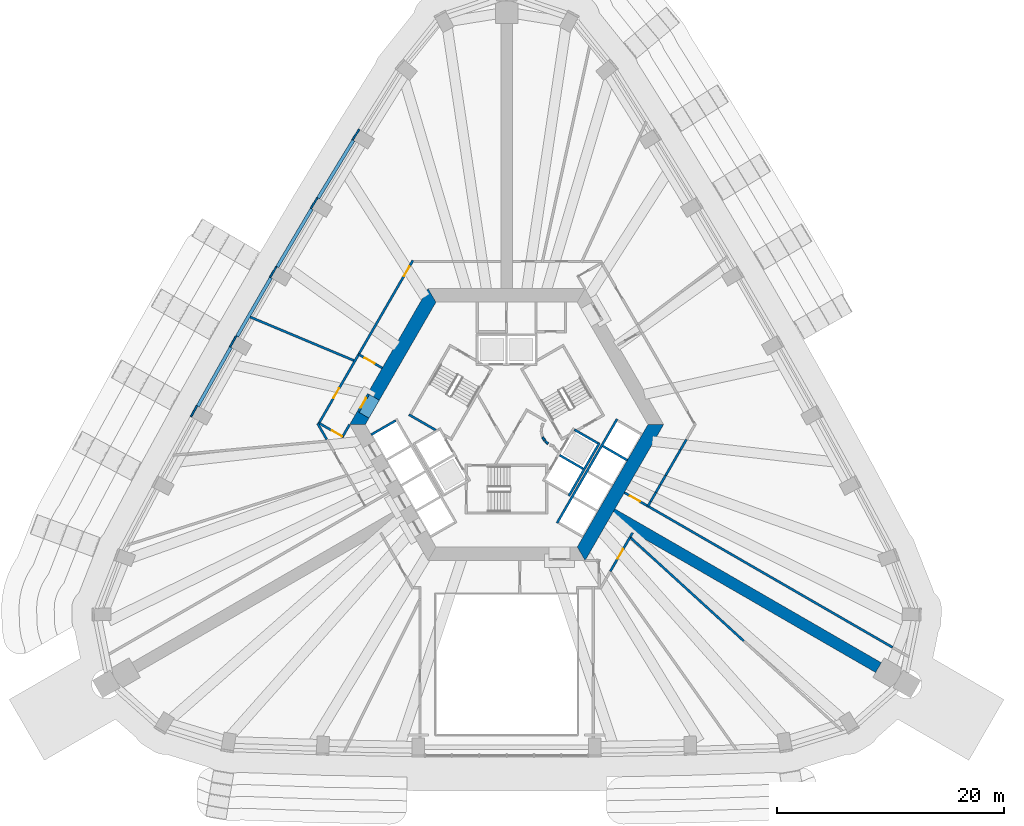
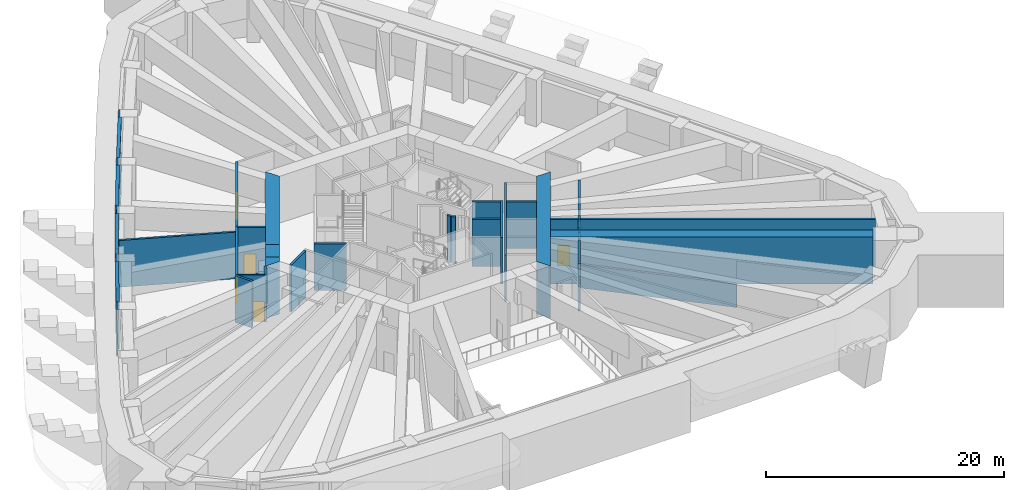
# One storey, part 7 of 20: 46 walls, 7 doors, 7 openings.
"""IFC4 building model written with IfcOpenShell, lengths in metres."""

from ifc_helpers import new_model, si_unit, direction, frame, frame_2d, origin, place, context, subcontext, project, spatial, polyline, rectangle, outline, extrude, material, layer, layer_set, type_object, element, fill, save


model = new_model("IFC4")

# Units and contexts
model_context = context("Model", 3, precision=1e-05, world=origin(), true_north=direction((0.0, 1.0)))
body_context = subcontext(model_context, "Body", "Model", "MODEL_VIEW")
ifc_project = project(units=[si_unit("LENGTHUNIT", "METRE"), si_unit("AREAUNIT", "SQUARE_METRE"), si_unit("VOLUMEUNIT", "CUBIC_METRE"), si_unit("PLANEANGLEUNIT", "RADIAN"), si_unit("MASSUNIT", "GRAM", prefix="KILO")], contexts=[model_context])

# Site, building, storey
site_placement = place(None, origin())
site = spatial("IfcSite", under=ifc_project, at=site_placement, CompositionType="ELEMENT")
building_placement = place(site_placement, origin())
building = spatial("IfcBuilding", under=site, at=building_placement, Name="Entoto Arch Interchange Tower", CompositionType="ELEMENT")
storey_placement = place(building_placement, frame((0.0, 0.0, 184.39990234375)))
storey = spatial("IfcBuildingStorey", under=building, at=storey_placement, Name="L41", CompositionType="ELEMENT", Elevation=184.39990234375)

# Wall, opening, door
ifc_material_1 = material(Name="Reinforced concrete C40/50", Category="concrete")
ifc_layer_1 = layer(ifc_material_1, 0.199951171875)
ifc_layer_set_1 = layer_set([ifc_layer_1], Name="Reinforced concrete C40/50")
wall_type_1 = type_object("IfcWallType", Name="CORE GAP INFILL WALL", PredefinedType="PARTITIONING", material=ifc_layer_set_1)
wall_1_placement = place(storey_placement, frame((-12.180908203125, 5.201904296875, 0.0), z_axis=(0.0, 0.0, 1.0), x_axis=(-0.500215337403, -0.865901042976, 0.0)))
wall_1 = element("IfcWall", 1, at=wall_1_placement, inside=storey, type_object=wall_type_1, Name="wall:L41:gap3", PredefinedType="PARTITIONING", context=body_context, shape_type="SweptSolid", body=[
    extrude(rectangle(XDim=1.829345703125, YDim=0.199951171875, at=frame_2d((0.91455078125, 0.0))), origin(), (0.0, 0.0, 1.0), 2.400146484375),
])
opening_1_placement = place(wall_1_placement, frame((0.4150390625, 0.0, 0.0)))
opening_1 = element("IfcOpeningElement", 2, at=opening_1_placement, cuts=wall_1, Name="Opening L41-D93", PredefinedType="OPENING", context=body_context, shape_type="SweptSolid", body=[
    extrude(rectangle(XDim=1.0, YDim=2.10009765625, at=frame_2d((0.5, 1.050048828125))), frame((0.0, 0.10986328125, 0.0), z_axis=(0.0, -1.0, 0.0), x_axis=(1.0, 0.0, 0.0)), (0.0, 0.0, 1.0), 0.219970703125),
])
ifc_material_2 = material(Name="Fire-rated Steel S235 door and frame", Category="steel")
door_type_1 = type_object("IfcDoorType", Name="DOOR FD-10 1000x2100", OperationType="SINGLE_SWING_LEFT", PredefinedType="DOOR", material=ifc_material_2)
door_1_placement = place(opening_1_placement, origin())
door_1 = element("IfcDoor", 3, at=door_1_placement, inside=storey, type_object=door_type_1, Name="door:L41:gap3", OperationType="SINGLE_SWING_LEFT", OverallHeight=2.10009765625, OverallWidth=1.0, PredefinedType="DOOR", context=body_context, shape_type="SweptSolid", body=[
    extrude(rectangle(XDim=1.0, YDim=2.10009765625, at=frame_2d((0.5, 1.050048828125))), frame((0.0, 0.02490234375, 0.0), z_axis=(0.0, -1.0, 0.0), x_axis=(1.0, 0.0, 0.0)), (0.0, 0.0, 1.0), 0.050048828125),
])
fill(opening_1, door_1)

# Walls
ifc_material_3 = material(Name="Concrete C50/60", Category="concrete")
ifc_layer_2 = layer(ifc_material_3, 1.199951171875)
ifc_layer_set_2 = layer_set([ifc_layer_2], Name="Concrete C50/60")
wall_type_2 = type_object("IfcWallType", Name="Core wall 1200 C50/60", PredefinedType="SHEAR", material=ifc_layer_set_2)
wall_2_placement = place(storey_placement, frame((0.0, 0.0, -0.599853515625)))
element("IfcWall", 4, at=wall_2_placement, inside=storey, type_object=wall_type_2, Name="Core wall NW L41", PredefinedType="SHEAR", context=body_context, shape_type="SweptSolid", body=[
    extrude(outline(polyline([(-12.26708984375, 5.251953125), (-11.22802734375, 4.652099609375), (-6.235107421875, 13.300048828125), (-6.927978515625, 14.5), (-12.26708984375, 5.251953125)])), origin(), (0.0, 0.0, 1.0), 5.39990234375),
])
wall_3_placement = place(storey_placement, frame((0.0, 0.0, -0.599853515625)))
element("IfcWall", 5, at=wall_3_placement, inside=storey, type_object=wall_type_2, Name="Core wall NW L41", PredefinedType="SHEAR", context=body_context, shape_type="SweptSolid", body=[
    extrude(outline(polyline([(-12.14306640625, 3.068115234375), (-13.181884765625, 3.6669921875), (-13.85595703125, 2.5), (-12.470947265625, 2.5), (-12.14306640625, 3.068115234375)])), origin(), (0.0, 0.0, 1.0), 5.39990234375),
])
wall_4_placement = place(storey_placement, frame((0.0, 0.0, 3.60009765625)))
element("IfcWall", 6, at=wall_4_placement, inside=storey, type_object=wall_type_2, Name="Core wall lintel NW L41", PredefinedType="SHEAR", context=body_context, shape_type="SweptSolid", body=[
    extrude(outline(polyline([(-13.181884765625, 3.6669921875), (-12.14306640625, 3.068115234375), (-11.22802734375, 4.652099609375), (-12.26708984375, 5.251953125), (-13.181884765625, 3.6669921875)])), origin(), (0.0, 0.0, 1.0), 1.199951171875),
])
wall_5_placement = place(storey_placement, frame((0.0, 0.0, -0.599853515625)))
element("IfcWall", 7, at=wall_5_placement, inside=storey, type_object=wall_type_2, Name="Core wall SE L41", PredefinedType="SHEAR", context=body_context, shape_type="SweptSolid", body=[
    extrude(outline(polyline([(6.927978515625, -9.5), (13.85595703125, 2.5), (12.470947265625, 2.5), (6.235107421875, -8.300048828125), (6.927978515625, -9.5)])), origin(), (0.0, 0.0, 1.0), 5.39990234375),
])
ifc_material_4 = material(Name="Concrete C40/50", Category="concrete")
ifc_layer_3 = layer(ifc_material_4, 0.199951171875)
ifc_layer_set_3 = layer_set([ifc_layer_3], Name="Concrete C40/50")
wall_type_3 = type_object("IfcWallType", Name="LIFT SHAFT WALL 200", PredefinedType="STANDARD", material=ifc_layer_set_3)
wall_6_placement = place(storey_placement, frame((-9.7880859375, 2.85302734375, 0.0), z_axis=(0.0, 0.0, 1.0), x_axis=(-0.865998541277, -0.500046524342, 0.0)))
element("IfcWall", 8, at=wall_6_placement, inside=storey, type_object=wall_type_3, Name="Shaft wall SW3 cross 1", PredefinedType="STANDARD", context=body_context, shape_type="SweptSolid", body=[
    extrude(rectangle(XDim=2.499755859375, YDim=0.199951171875, at=frame_2d((1.25, 0.0))), origin(), (0.0, 0.0, 1.0), 4.800048828125),
])
wall_7_placement = place(storey_placement, frame((5.491943359375, -3.7880859375, 0.0), z_axis=(0.0, 0.0, 1.0), x_axis=(0.500034260056, 0.866005622828, 0.0)))
element("IfcWall", 9, at=wall_7_placement, inside=storey, type_object=wall_type_3, Name="Shaft wall SE1 back", PredefinedType="STANDARD", context=body_context, shape_type="SweptSolid", body=[
    extrude(rectangle(XDim=5.3994140625, YDim=0.199951171875, at=frame_2d((2.69970703125, 0.0))), origin(), (0.0, 0.0, 1.0), 4.800048828125),
])
for number, where, z_axis, x_axis, name in (
    (10, (4.677001953125, -0.199951171875, 0.0), (0.0, 0.0, 1.0), (0.865973769406, -0.500089422704, 0.0), "Shaft wall SE1 cross 2"),
    (11, (5.97705078125, 2.052001953125, 0.0), (0.0, 0.0, 1.0), (0.865973769406, -0.500089422704, 0.0), "Shaft wall SE1 cross 3"),
):
    element("IfcWall", number, at=place(storey_placement, frame(where, z_axis=z_axis, x_axis=x_axis)), inside=storey, type_object=wall_type_3, Name=name, PredefinedType="STANDARD", context=body_context, shape_type="SweptSolid", body=[
        extrude(rectangle(XDim=2.3994140625, YDim=0.199951171875, at=frame_2d((1.19970703125, 0.0))), origin(), (0.0, 0.0, 1.0), 4.800048828125),
    ])
wall_8_placement = place(storey_placement, frame((4.450927734375, -6.18994140625, 0.0), z_axis=(0.0, 0.0, 1.0), x_axis=(0.50000090737, 0.866024879913, 0.0)))
element("IfcWall", 12, at=wall_8_placement, inside=storey, type_object=wall_type_3, Name="Shaft wall SE3 front", PredefinedType="STANDARD", context=body_context, shape_type="SweptSolid", body=[
    extrude(rectangle(XDim=10.60009765625, YDim=0.199951171875, at=frame_2d((5.300048828125, 0.0))), origin(), (0.0, 0.0, 1.0), 4.800048828125),
])
wall_9_placement = place(storey_placement, frame((8.488037109375, 0.60205078125, 0.0), z_axis=(0.0, 0.0, 1.0), x_axis=(0.866022959057, -0.500004234368, 0.0)))
element("IfcWall", 13, at=wall_9_placement, inside=storey, type_object=wall_type_3, Name="Shaft wall SE3 cross 4", PredefinedType="STANDARD", context=body_context, shape_type="SweptSolid", body=[
    extrude(rectangle(XDim=2.5, YDim=0.199951171875, at=frame_2d((1.25, 0.0))), origin(), (0.0, 0.0, 1.0), 4.800048828125),
])
ifc_layer_4 = layer(ifc_material_3, 1.0)
ifc_layer_set_4 = layer_set([ifc_layer_4], Name="Concrete C50/60")
wall_type_4 = type_object("IfcWallType", Name="Outrigger wall 1000 C50/60", PredefinedType="SHEAR", material=ifc_layer_set_4)
wall_10_placement = place(storey_placement, frame((9.31005859375, -5.375, 0.0), z_axis=(0.0, 0.0, 1.0), x_axis=(0.866015103238, -0.500017840646, 0.0)))
element("IfcWall", 14, at=wall_10_placement, inside=storey, type_object=wall_type_4, Name="Outrigger wall SE L41", PredefinedType="SHEAR", context=body_context, shape_type="SweptSolid", body=[
    extrude(rectangle(XDim=27.13916015625, YDim=1.0, at=frame_2d((13.569580078125, 0.0))), origin(), (0.0, 0.0, 1.0), 4.800048828125),
])
ifc_material_5 = material(Name="Gypsum board partition on steel studs", Category="steel")
ifc_layer_5 = layer(ifc_material_5, 0.199951171875)
ifc_layer_set_5 = layer_set([ifc_layer_5], Name="Gypsum board partition on steel studs")
wall_type_5 = type_object("IfcWallType", Name="PARTITION 200", PredefinedType="PARTITIONING", material=ifc_layer_set_5)
for number, where, z_axis, x_axis, name in (
    (15, (3.181884765625, 1.387939453125, 0.0), (0.0, 0.0, 1.0), (0.512474702713, -0.85870232274, 0.0), "wall:L41:p012"),
    (16, (3.404052734375, 1.0390625, 0.0), (0.0, 0.0, 1.0), (0.740267097712, -0.672312891476, 0.0), "wall:L41:p013"),
):
    element("IfcWall", number, at=place(storey_placement, frame(where, z_axis=z_axis, x_axis=x_axis)), inside=storey, type_object=wall_type_5, Name=name, PredefinedType="PARTITIONING", context=body_context, shape_type="SweptSolid", body=[
        extrude(rectangle(XDim=0.337646484375, YDim=0.199951171875, at=frame_2d((0.1689453125, 0.0))), origin(), (0.0, 0.0, 1.0), 4.800048828125),
    ])

# Wall, opening, door
wall_11_placement = place(storey_placement, frame((10.889892578125, -7.43701171875, 0.0), z_axis=(0.0, 0.0, 1.0), x_axis=(-0.499979528911, -0.866037222451, 0.0)))
wall_11 = element("IfcWall", 17, at=wall_11_placement, inside=storey, type_object=wall_type_5, Name="wall:L41:p031", PredefinedType="PARTITIONING", context=body_context, shape_type="SweptSolid", body=[
    extrude(rectangle(XDim=3.480224609375, YDim=0.199951171875, at=frame_2d((1.740234375, 0.0))), origin(), (0.0, 0.0, 1.0), 4.800048828125),
])
opening_2_placement = place(wall_11_placement, frame((1.201904296875, 0.0, 0.0)))
opening_2 = element("IfcOpeningElement", 18, at=opening_2_placement, cuts=wall_11, Name="Opening L41-D05", PredefinedType="OPENING", context=body_context, shape_type="SweptSolid", body=[
    extrude(rectangle(XDim=1.0, YDim=2.10009765625, at=frame_2d((0.5, 1.050048828125))), frame((0.0, 0.10986328125, 0.0), z_axis=(0.0, -1.0, 0.0), x_axis=(1.0, 0.0, 0.0)), (0.0, 0.0, 1.0), 0.219970703125),
])
door_2_placement = place(opening_2_placement, origin())
door_2 = element("IfcDoor", 19, at=door_2_placement, inside=storey, type_object=door_type_1, Name="door:L41:05", OperationType="SINGLE_SWING_LEFT", OverallHeight=2.10009765625, OverallWidth=1.0, PredefinedType="DOOR", context=body_context, shape_type="SweptSolid", body=[
    extrude(rectangle(XDim=1.0, YDim=2.10009765625, at=frame_2d((0.5, 1.050048828125))), frame((0.0, 0.02490234375, 0.0), z_axis=(0.0, -1.0, 0.0), x_axis=(1.0, 0.0, 0.0)), (0.0, 0.0, 1.0), 0.050048828125),
])
fill(opening_2, door_2)

# Walls
wall_12_placement = place(storey_placement, frame((11.113037109375, -7.051025390625, 0.0), z_axis=(0.0, 0.0, 1.0), x_axis=(-0.499207881238, -0.866482251007, 0.0)))
element("IfcWall", 20, at=wall_12_placement, inside=storey, type_object=wall_type_5, Name="wall:L41:p032", PredefinedType="PARTITIONING", context=body_context, shape_type="SweptSolid", body=[
    extrude(rectangle(XDim=0.410888671875, YDim=0.199951171875, at=frame_2d((0.20556640625, 0.0))), origin(), (0.0, 0.0, 1.0), 2.400146484375),
])
wall_13_placement = place(storey_placement, frame((10.81591796875, -7.3701171875, 0.0), z_axis=(0.0, 0.0, 1.0), x_axis=(0.738734088882, -0.673996992519, 0.0)))
element("IfcWall", 21, at=wall_13_placement, inside=storey, type_object=wall_type_5, Name="wall:L41:p036", PredefinedType="PARTITIONING", context=body_context, shape_type="SweptSolid", body=[
    extrude(rectangle(XDim=13.689697265625, YDim=0.199951171875, at=frame_2d((6.8447265625, 0.0))), origin(), (0.0, 0.0, 1.0), 2.400146484375),
])

# Wall, opening, door
wall_14_placement = place(storey_placement, frame((12.384033203125, -4.64990234375, 0.0), z_axis=(0.0, 0.0, 1.0), x_axis=(-0.866053019151, 0.499952165731, 0.0)))
wall_14 = element("IfcWall", 22, at=wall_14_placement, inside=storey, type_object=wall_type_5, Name="wall:L41:p037", PredefinedType="PARTITIONING", context=body_context, shape_type="SweptSolid", body=[
    extrude(rectangle(XDim=2.300048828125, YDim=0.199951171875, at=frame_2d((1.14990234375, 0.0))), origin(), (0.0, 0.0, 1.0), 4.800048828125),
])
opening_3_placement = place(wall_14_placement, frame((0.720947265625, 0.0, 0.0)))
opening_3 = element("IfcOpeningElement", 23, at=opening_3_placement, cuts=wall_14, Name="Opening L41-D19", PredefinedType="OPENING", context=body_context, shape_type="SweptSolid", body=[
    extrude(rectangle(XDim=1.0, YDim=2.10009765625, at=frame_2d((0.5, 1.050048828125))), frame((0.0, 0.10986328125, 0.0), z_axis=(0.0, -1.0, 0.0), x_axis=(1.0, 0.0, 0.0)), (0.0, 0.0, 1.0), 0.219970703125),
])
ifc_material_6 = material(Name="Timber door leaf in Steel S235 frame", Category="steel")
door_type_2 = type_object("IfcDoorType", Name="DOOR DS-10 1000x2100", OperationType="SINGLE_SWING_LEFT", PredefinedType="DOOR", material=ifc_material_6)
door_3_placement = place(opening_3_placement, origin())
door_3 = element("IfcDoor", 24, at=door_3_placement, inside=storey, type_object=door_type_2, Name="door:L41:19", OperationType="SINGLE_SWING_LEFT", OverallHeight=2.10009765625, OverallWidth=1.0, PredefinedType="DOOR", context=body_context, shape_type="SweptSolid", body=[
    extrude(rectangle(XDim=1.0, YDim=2.10009765625, at=frame_2d((0.5, 1.050048828125))), frame((0.0, 0.02490234375, 0.0), z_axis=(0.0, -1.0, 0.0), x_axis=(1.0, 0.0, 0.0)), (0.0, 0.0, 1.0), 0.050048828125),
])
fill(opening_3, door_3)

# Wall
wall_15_placement = place(storey_placement, frame((12.384033203125, -4.64990234375, 0.0), z_axis=(0.0, 0.0, 1.0), x_axis=(0.866042267005, -0.499970790907, 0.0)))
element("IfcWall", 25, at=wall_15_placement, inside=storey, type_object=wall_type_5, Name="wall:L41:p038", PredefinedType="PARTITIONING", context=body_context, shape_type="SweptSolid", body=[
    extrude(rectangle(XDim=25.01953125, YDim=0.199951171875, at=frame_2d((12.509765625, 0.0))), origin(), (0.0, 0.0, 1.0), 4.800048828125),
])

# Wall, opening, door
wall_16_placement = place(storey_placement, frame((-13.052978515625, 8.69091796875, 0.0), z_axis=(0.0, 0.0, 1.0), x_axis=(0.865973769406, -0.500089422704, 0.0)))
wall_16 = element("IfcWall", 26, at=wall_16_placement, inside=storey, type_object=wall_type_5, Name="wall:L41:p052", PredefinedType="PARTITIONING", context=body_context, shape_type="SweptSolid", body=[
    extrude(rectangle(XDim=2.3994140625, YDim=0.199951171875, at=frame_2d((1.19970703125, 0.0))), origin(), (0.0, 0.0, 1.0), 4.800048828125),
])
opening_4_placement = place(wall_16_placement, frame((0.60009765625, 0.0, 0.0)))
opening_4 = element("IfcOpeningElement", 27, at=opening_4_placement, cuts=wall_16, Name="Opening L41-D12", PredefinedType="OPENING", context=body_context, shape_type="SweptSolid", body=[
    extrude(rectangle(XDim=1.0, YDim=2.10009765625, at=frame_2d((0.5, 1.050048828125))), frame((0.0, 0.10986328125, 0.0), z_axis=(0.0, -1.0, 0.0), x_axis=(1.0, 0.0, 0.0)), (0.0, 0.0, 1.0), 0.219970703125),
])
door_4_placement = place(opening_4_placement, origin())
door_4 = element("IfcDoor", 28, at=door_4_placement, inside=storey, type_object=door_type_1, Name="door:L41:12", OperationType="SINGLE_SWING_RIGHT", OverallHeight=2.10009765625, OverallWidth=1.0, PredefinedType="DOOR", context=body_context, shape_type="SweptSolid", body=[
    extrude(rectangle(XDim=1.0, YDim=2.10009765625, at=frame_2d((0.5, 1.050048828125))), frame((0.0, 0.02490234375, 0.0), z_axis=(0.0, -1.0, 0.0), x_axis=(1.0, 0.0, 0.0)), (0.0, 0.0, 1.0), 0.050048828125),
])
fill(opening_4, door_4)

# Wall
wall_17_placement = place(storey_placement, frame((-13.85595703125, 2.5009765625, 0.0), z_axis=(0.0, 0.0, 1.0), x_axis=(-0.500316932756, -0.865842345233, 0.0)))
element("IfcWall", 29, at=wall_17_placement, inside=storey, type_object=wall_type_5, Name="wall:L41:p053", PredefinedType="PARTITIONING", context=body_context, shape_type="SweptSolid", body=[
    extrude(rectangle(XDim=1.137451171875, YDim=0.199951171875, at=frame_2d((0.56884765625, 0.0))), origin(), (0.0, 0.0, 1.0), 4.800048828125),
])

# Wall, opening, door
wall_18_placement = place(storey_placement, frame((-14.387939453125, 1.37890625, 0.0), z_axis=(0.0, 0.0, 1.0), x_axis=(-0.866022959057, 0.500004234368, 0.0)))
wall_18 = element("IfcWall", 30, at=wall_18_placement, inside=storey, type_object=wall_type_5, Name="wall:L41:p054", PredefinedType="PARTITIONING", context=body_context, shape_type="SweptSolid", body=[
    extrude(rectangle(XDim=2.5, YDim=0.199951171875, at=frame_2d((1.25, 0.0))), origin(), (0.0, 0.0, 1.0), 4.800048828125),
])
opening_5_placement = place(wall_18_placement, frame((0.16796875, 0.0, 0.0)))
opening_5 = element("IfcOpeningElement", 31, at=opening_5_placement, cuts=wall_18, Name="Opening L41-D13", PredefinedType="OPENING", context=body_context, shape_type="SweptSolid", body=[
    extrude(rectangle(XDim=1.0, YDim=2.10009765625, at=frame_2d((0.5, 1.050048828125))), frame((0.0, 0.10986328125, 0.0), z_axis=(0.0, -1.0, 0.0), x_axis=(1.0, 0.0, 0.0)), (0.0, 0.0, 1.0), 0.219970703125),
])
door_5_placement = place(opening_5_placement, origin())
door_5 = element("IfcDoor", 32, at=door_5_placement, inside=storey, type_object=door_type_1, Name="door:L41:13", OperationType="SINGLE_SWING_LEFT", OverallHeight=2.10009765625, OverallWidth=1.0, PredefinedType="DOOR", context=body_context, shape_type="SweptSolid", body=[
    extrude(rectangle(XDim=1.0, YDim=2.10009765625, at=frame_2d((0.5, 1.050048828125))), frame((0.0, 0.02490234375, 0.0), z_axis=(0.0, -1.0, 0.0), x_axis=(1.0, 0.0, 0.0)), (0.0, 0.0, 1.0), 0.050048828125),
])
fill(opening_5, door_5)

wall_19_placement = place(storey_placement, frame((-16.60302734375, 2.5419921875, 0.0), z_axis=(0.0, 0.0, 1.0), x_axis=(0.499968011863, 0.866043871356, 0.0)))
wall_19 = element("IfcWall", 33, at=wall_19_placement, inside=storey, type_object=wall_type_5, Name="wall:L41:p055", PredefinedType="PARTITIONING", context=body_context, shape_type="SweptSolid", body=[
    extrude(rectangle(XDim=7.20068359375, YDim=0.199951171875, at=frame_2d((3.600341796875, 0.0))), origin(), (0.0, 0.0, 1.0), 4.800048828125),
])
opening_6_placement = place(wall_19_placement, frame((2.654052734375, 0.0, 0.0)))
opening_6 = element("IfcOpeningElement", 34, at=opening_6_placement, cuts=wall_19, Name="Opening L41-D14", PredefinedType="OPENING", context=body_context, shape_type="SweptSolid", body=[
    extrude(rectangle(XDim=1.0, YDim=2.10009765625, at=frame_2d((0.5, 1.050048828125))), frame((0.0, 0.10986328125, 0.0), z_axis=(0.0, -1.0, 0.0), x_axis=(1.0, 0.0, 0.0)), (0.0, 0.0, 1.0), 0.219970703125),
])
door_6_placement = place(opening_6_placement, origin())
door_6 = element("IfcDoor", 35, at=door_6_placement, inside=storey, type_object=door_type_1, Name="door:L41:14", OperationType="SINGLE_SWING_RIGHT", OverallHeight=2.10009765625, OverallWidth=1.0, PredefinedType="DOOR", context=body_context, shape_type="SweptSolid", body=[
    extrude(rectangle(XDim=1.0, YDim=2.10009765625, at=frame_2d((0.5, 1.050048828125))), frame((0.0, 0.02490234375, 0.0), z_axis=(0.0, -1.0, 0.0), x_axis=(1.0, 0.0, 0.0)), (0.0, 0.0, 1.0), 0.050048828125),
])
fill(opening_6, door_6)

wall_20_placement = place(storey_placement, frame((-13.0029296875, 8.778076171875, 0.0), z_axis=(0.0, 0.0, 1.0), x_axis=(0.499964736285, 0.866045762343, 0.0)))
wall_20 = element("IfcWall", 36, at=wall_20_placement, inside=storey, type_object=wall_type_5, Name="wall:L41:p056", PredefinedType="PARTITIONING", context=body_context, shape_type="SweptSolid", body=[
    extrude(rectangle(XDim=9.478759765625, YDim=0.199951171875, at=frame_2d((4.7392578125, 0.0))), origin(), (0.0, 0.0, 1.0), 4.800048828125),
])
opening_7_placement = place(wall_20_placement, frame((7.862060546875, 0.0, 0.0)))
opening_7 = element("IfcOpeningElement", 37, at=opening_7_placement, cuts=wall_20, Name="Opening L41-D15", PredefinedType="OPENING", context=body_context, shape_type="SweptSolid", body=[
    extrude(rectangle(XDim=1.0, YDim=2.10009765625, at=frame_2d((0.5, 1.050048828125))), frame((0.0, 0.10986328125, 0.0), z_axis=(0.0, -1.0, 0.0), x_axis=(1.0, 0.0, 0.0)), (0.0, 0.0, 1.0), 0.219970703125),
])
door_7_placement = place(opening_7_placement, origin())
door_7 = element("IfcDoor", 38, at=door_7_placement, inside=storey, type_object=door_type_1, Name="door:L41:15", OperationType="SINGLE_SWING_LEFT", OverallHeight=2.10009765625, OverallWidth=1.0, PredefinedType="DOOR", context=body_context, shape_type="SweptSolid", body=[
    extrude(rectangle(XDim=1.0, YDim=2.10009765625, at=frame_2d((0.5, 1.050048828125))), frame((0.0, 0.02490234375, 0.0), z_axis=(0.0, -1.0, 0.0), x_axis=(1.0, 0.0, 0.0)), (0.0, 0.0, 1.0), 0.050048828125),
])
fill(opening_7, door_7)

# Walls
wall_21_placement = place(storey_placement, frame((-22.625, 11.989990234375, 0.0), z_axis=(0.0, 0.0, 1.0), x_axis=(0.922173915382, -0.386775477233, 0.0)))
element("IfcWall", 39, at=wall_21_placement, inside=storey, type_object=wall_type_5, Name="wall:L41:p060", PredefinedType="PARTITIONING", context=body_context, shape_type="SweptSolid", body=[
    extrude(rectangle(XDim=10.018798828125, YDim=0.199951171875, at=frame_2d((5.00927734375, 0.0))), origin(), (0.0, 0.0, 1.0), 4.800048828125),
])
wall_22_placement = place(storey_placement, frame((15.866943359375, 1.18310546875, 0.0), z_axis=(0.0, 0.0, 1.0), x_axis=(-0.499900536046, -0.86608282171, 0.0)))
element("IfcWall", 40, at=wall_22_placement, inside=storey, type_object=wall_type_5, Name="wall:L41:p044", PredefinedType="PARTITIONING", context=body_context, shape_type="SweptSolid", body=[
    extrude(rectangle(XDim=1.068115234375, YDim=0.199951171875, at=frame_2d((0.5341796875, 0.0))), origin(), (0.0, 0.0, 1.0), 2.400146484375),
])
wall_23_placement = place(storey_placement, frame((15.3330078125, 0.258056640625, 0.0), z_axis=(0.0, 0.0, 1.0), x_axis=(-0.500070396748, -0.865984756388, 0.0)))
element("IfcWall", 41, at=wall_23_placement, inside=storey, type_object=wall_type_5, Name="wall:L41:p044", PredefinedType="PARTITIONING", context=body_context, shape_type="SweptSolid", body=[
    extrude(rectangle(XDim=2.591552734375, YDim=0.199951171875, at=frame_2d((1.2958984375, 0.0))), origin(), (0.0, 0.0, 1.0), 4.800048828125),
])
wall_24_placement = place(storey_placement, frame((14.037109375, -1.986083984375, 0.0), z_axis=(0.0, 0.0, 1.0), x_axis=(-0.4998334002, -0.86612156886, 0.0)))
element("IfcWall", 42, at=wall_24_placement, inside=storey, type_object=wall_type_5, Name="wall:L41:p044", PredefinedType="PARTITIONING", context=body_context, shape_type="SweptSolid", body=[
    extrude(rectangle(XDim=0.952392578125, YDim=0.199951171875, at=frame_2d((0.47607421875, 0.0))), origin(), (0.0, 0.0, 1.0), 2.400146484375),
])
wall_25_placement = place(storey_placement, frame((13.56103515625, -2.81103515625, 0.0), z_axis=(0.0, 0.0, 1.0), x_axis=(-0.499409130319, -0.866366273901, 0.0)))
element("IfcWall", 43, at=wall_25_placement, inside=storey, type_object=wall_type_5, Name="wall:L41:p044", PredefinedType="PARTITIONING", context=body_context, shape_type="SweptSolid", body=[
    extrude(rectangle(XDim=0.787109375, YDim=0.199951171875, at=frame_2d((0.3935546875, 0.0))), origin(), (0.0, 0.0, 1.0), 4.800048828125),
])
wall_26_placement = place(storey_placement, frame((13.16796875, -3.492919921875, 0.0), z_axis=(0.0, 0.0, 1.0), x_axis=(-0.500153222552, -0.865936922628, 0.0)))
element("IfcWall", 44, at=wall_26_placement, inside=storey, type_object=wall_type_5, Name="wall:L41:p044", PredefinedType="PARTITIONING", context=body_context, shape_type="SweptSolid", body=[
    extrude(rectangle(XDim=0.915771484375, YDim=0.199951171875, at=frame_2d((0.4580078125, 0.0))), origin(), (0.0, 0.0, 1.0), 2.400146484375),
])
wall_27_placement = place(storey_placement, frame((12.7099609375, -4.285888671875, 0.0), z_axis=(0.0, 0.0, 1.0), x_axis=(-0.500558482794, -0.8657027234, 0.0)))
element("IfcWall", 45, at=wall_27_placement, inside=storey, type_object=wall_type_5, Name="wall:L41:p044", PredefinedType="PARTITIONING", context=body_context, shape_type="SweptSolid", body=[
    extrude(rectangle(XDim=0.46337890625, YDim=0.199951171875, at=frame_2d((0.231689453125, 0.0))), origin(), (0.0, 0.0, 1.0), 4.800048828125),
])
wall_28_placement = place(storey_placement, frame((-15.866943359375, 1.18310546875, 0.0), z_axis=(0.0, 0.0, 1.0), x_axis=(-0.499800693738, 0.866140442734, 0.0)))
element("IfcWall", 46, at=wall_28_placement, inside=storey, type_object=wall_type_5, Name="wall:L41:p058", PredefinedType="PARTITIONING", context=body_context, shape_type="SweptSolid", body=[
    extrude(rectangle(XDim=1.620849609375, YDim=0.199951171875, at=frame_2d((0.810546875, 0.0))), origin(), (0.0, 0.0, 1.0), 4.800048828125),
])
ifc_material_7 = material(Name="Board-marked precast concrete C50/60", Category="concrete")
ifc_layer_6 = layer(ifc_material_7, 0.14990234375)
ifc_layer_set_6 = layer_set([ifc_layer_6], Name="Board-marked precast concrete C50/60")
wall_type_6 = type_object("IfcWallType", Name="PRECAST FRAME WALL 150", PredefinedType="STANDARD", material=ifc_layer_set_6)
for number, where, z_axis, x_axis, name in (
    (47, (-13.00390625, 28.56396484375, 0.0), (0.0, 0.0, 1.0), (-0.52997899071, -0.848010771987, 0.0), "Frame pier NW02 L41"),
    (48, (-16.693115234375, 22.52587890625, 0.0), (0.0, 0.0, 1.0), (-0.518016395059, -0.855370688328, 0.0), "Frame pier NW03 L41"),
):
    element("IfcWall", number, at=place(storey_placement, frame(where, z_axis=z_axis, x_axis=x_axis)), inside=storey, type_object=wall_type_6, Name=name, PredefinedType="STANDARD", context=body_context, shape_type="SweptSolid", body=[
        extrude(rectangle(XDim=1.10009765625, YDim=0.14990234375, at=frame_2d((0.550048828125, 0.0))), origin(), (0.0, 0.0, 1.0), 4.800048828125),
    ])
wall_29_placement = place(storey_placement, frame((-20.30908203125, 16.445068359375, 0.0), z_axis=(0.0, 0.0, 1.0), x_axis=(-0.506505715302, -0.862236603472, 0.0)))
element("IfcWall", 49, at=wall_29_placement, inside=storey, type_object=wall_type_6, Name="Frame pier NW04 L41", PredefinedType="STANDARD", context=body_context, shape_type="SweptSolid", body=[
    extrude(rectangle(XDim=1.099365234375, YDim=0.14990234375, at=frame_2d((0.5498046875, 0.0))), origin(), (0.0, 0.0, 1.0), 4.800048828125),
])
wall_30_placement = place(storey_placement, frame((-23.85302734375, 10.322021484375, 0.0), z_axis=(0.0, 0.0, 1.0), x_axis=(-0.494512685492, -0.869170411305, 0.0)))
element("IfcWall", 50, at=wall_30_placement, inside=storey, type_object=wall_type_6, Name="Frame pier NW05 L41", PredefinedType="STANDARD", context=body_context, shape_type="SweptSolid", body=[
    extrude(rectangle(XDim=1.099853515625, YDim=0.14990234375, at=frame_2d((0.5498046875, 0.0))), origin(), (0.0, 0.0, 1.0), 4.800048828125),
])
wall_31_placement = place(storey_placement, frame((-27.322998046875, 4.157958984375, 0.0), z_axis=(0.0, 0.0, 1.0), x_axis=(-0.481850587491, -0.876253394478, 0.0)))
element("IfcWall", 51, at=wall_31_placement, inside=storey, type_object=wall_type_6, Name="Frame pier NW06 L41", PredefinedType="STANDARD", context=body_context, shape_type="SweptSolid", body=[
    extrude(rectangle(XDim=1.10009765625, YDim=0.14990234375, at=frame_2d((0.550048828125, 0.0))), origin(), (0.0, 0.0, 1.0), 4.800048828125),
])
ifc_layer_7 = layer(ifc_material_7, 0.300048828125)
ifc_layer_set_7 = layer_set([ifc_layer_7], Name="Board-marked precast concrete C50/60")
wall_type_7 = type_object("IfcWallType", Name="PRECAST FRAME WALL 300", PredefinedType="STANDARD", material=ifc_layer_set_7)
wall_32_placement = place(storey_placement, frame((-13.51708984375, 27.589111328125, 0.0), z_axis=(0.0, 0.0, 1.0), x_axis=(-0.520441839765, -0.853897119928, 0.0)))
element("IfcWall", 52, at=wall_32_placement, inside=storey, type_object=wall_type_7, Name="Frame sill wall NW-02 L41", PredefinedType="STANDARD", context=body_context, shape_type="SweptSolid", body=[
    extrude(rectangle(XDim=5.977294921875, YDim=0.300048828125, at=frame_2d((2.98876953125, 0.0))), origin(), (0.0, 0.0, 1.0), 1.2001953125),
])
wall_33_placement = place(storey_placement, frame((-13.51708984375, 27.589111328125, 4.0), z_axis=(0.0, 0.0, 1.0), x_axis=(-0.520441839765, -0.853897119928, 0.0)))
element("IfcWall", 53, at=wall_33_placement, inside=storey, type_object=wall_type_7, Name="Frame head wall NW-02 L41", PredefinedType="STANDARD", context=body_context, shape_type="SweptSolid", body=[
    extrude(rectangle(XDim=5.977294921875, YDim=0.300048828125, at=frame_2d((2.98876953125, 0.0))), origin(), (0.0, 0.0, 1.0), 0.800048828125),
])
wall_34_placement = place(storey_placement, frame((-17.194091796875, 21.5439453125, 0.0), z_axis=(0.0, 0.0, 1.0), x_axis=(-0.510120456318, -0.860102970606, 0.0)))
element("IfcWall", 54, at=wall_34_placement, inside=storey, type_object=wall_type_7, Name="Frame sill wall NW-03 L41", PredefinedType="STANDARD", context=body_context, shape_type="SweptSolid", body=[
    extrude(rectangle(XDim=5.974853515625, YDim=0.300048828125, at=frame_2d((2.9873046875, 0.0))), origin(), (0.0, 0.0, 1.0), 1.2001953125),
])
wall_35_placement = place(storey_placement, frame((-17.194091796875, 21.5439453125, 4.0), z_axis=(0.0, 0.0, 1.0), x_axis=(-0.510120456318, -0.860102970606, 0.0)))
element("IfcWall", 55, at=wall_35_placement, inside=storey, type_object=wall_type_7, Name="Frame head wall NW-03 L41", PredefinedType="STANDARD", context=body_context, shape_type="SweptSolid", body=[
    extrude(rectangle(XDim=5.974853515625, YDim=0.300048828125, at=frame_2d((2.9873046875, 0.0))), origin(), (0.0, 0.0, 1.0), 0.800048828125),
])
wall_36_placement = place(storey_placement, frame((-20.797119140625, 15.4580078125, 0.0), z_axis=(0.0, 0.0, 1.0), x_axis=(-0.499926373932, -0.866067907642, 0.0)))
element("IfcWall", 56, at=wall_36_placement, inside=storey, type_object=wall_type_7, Name="Frame sill wall NW-04 L41", PredefinedType="STANDARD", context=body_context, shape_type="SweptSolid", body=[
    extrude(rectangle(XDim=5.9765625, YDim=0.300048828125, at=frame_2d((2.98828125, 0.0))), origin(), (0.0, 0.0, 1.0), 1.2001953125),
])
wall_37_placement = place(storey_placement, frame((-20.797119140625, 15.4580078125, 4.0), z_axis=(0.0, 0.0, 1.0), x_axis=(-0.499926373932, -0.866067907642, 0.0)))
element("IfcWall", 57, at=wall_37_placement, inside=storey, type_object=wall_type_7, Name="Frame head wall NW-04 L41", PredefinedType="STANDARD", context=body_context, shape_type="SweptSolid", body=[
    extrude(rectangle(XDim=5.9765625, YDim=0.300048828125, at=frame_2d((2.98828125, 0.0))), origin(), (0.0, 0.0, 1.0), 0.800048828125),
])
wall_38_placement = place(storey_placement, frame((-24.327880859375, 9.327880859375, 0.0), z_axis=(0.0, 0.0, 1.0), x_axis=(-0.489679181332, -0.871902689163, 0.0)))
element("IfcWall", 58, at=wall_38_placement, inside=storey, type_object=wall_type_7, Name="Frame sill wall NW-05 L41", PredefinedType="STANDARD", context=body_context, shape_type="SweptSolid", body=[
    extrude(rectangle(XDim=5.975341796875, YDim=0.300048828125, at=frame_2d((2.98779296875, 0.0))), origin(), (0.0, 0.0, 1.0), 1.2001953125),
])
wall_39_placement = place(storey_placement, frame((-24.327880859375, 9.327880859375, 4.0), z_axis=(0.0, 0.0, 1.0), x_axis=(-0.489679181332, -0.871902689163, 0.0)))
element("IfcWall", 59, at=wall_39_placement, inside=storey, type_object=wall_type_7, Name="Frame head wall NW-05 L41", PredefinedType="STANDARD", context=body_context, shape_type="SweptSolid", body=[
    extrude(rectangle(XDim=5.975341796875, YDim=0.300048828125, at=frame_2d((2.98779296875, 0.0))), origin(), (0.0, 0.0, 1.0), 0.800048828125),
])
ifc_layer_8 = layer(ifc_material_4, 0.199951171875)
ifc_layer_set_8 = layer_set([ifc_layer_8], Name="Concrete C40/50")
wall_type_8 = type_object("IfcWallType", Name="STAIR ENCLOSURE WALL 200", PredefinedType="STANDARD", material=ifc_layer_set_8)
wall_40_placement = place(storey_placement, frame((-6.25, 2.010009765625, 0.0), z_axis=(0.0, 0.0, 1.0), x_axis=(-0.86611865017, 0.499838457731, 0.0)))
element("IfcWall", 60, at=wall_40_placement, inside=storey, type_object=wall_type_8, Name="Stair wall ST-NW far", PredefinedType="STANDARD", context=body_context, shape_type="SweptSolid", body=[
    extrude(rectangle(XDim=2.73291015625, YDim=0.199951171875, at=frame_2d((1.366455078125, 0.0))), origin(), (0.0, 0.0, 1.0), 4.800048828125),
])

save(model, "model.ifc")
